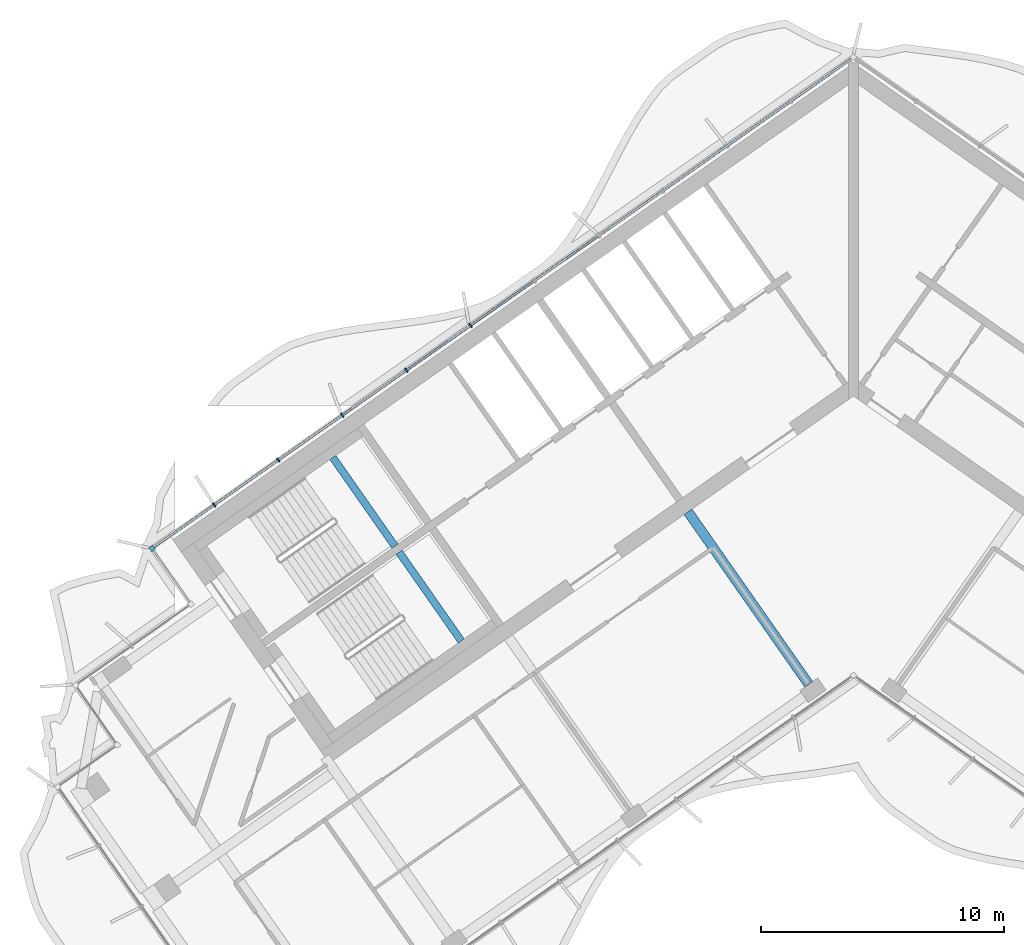
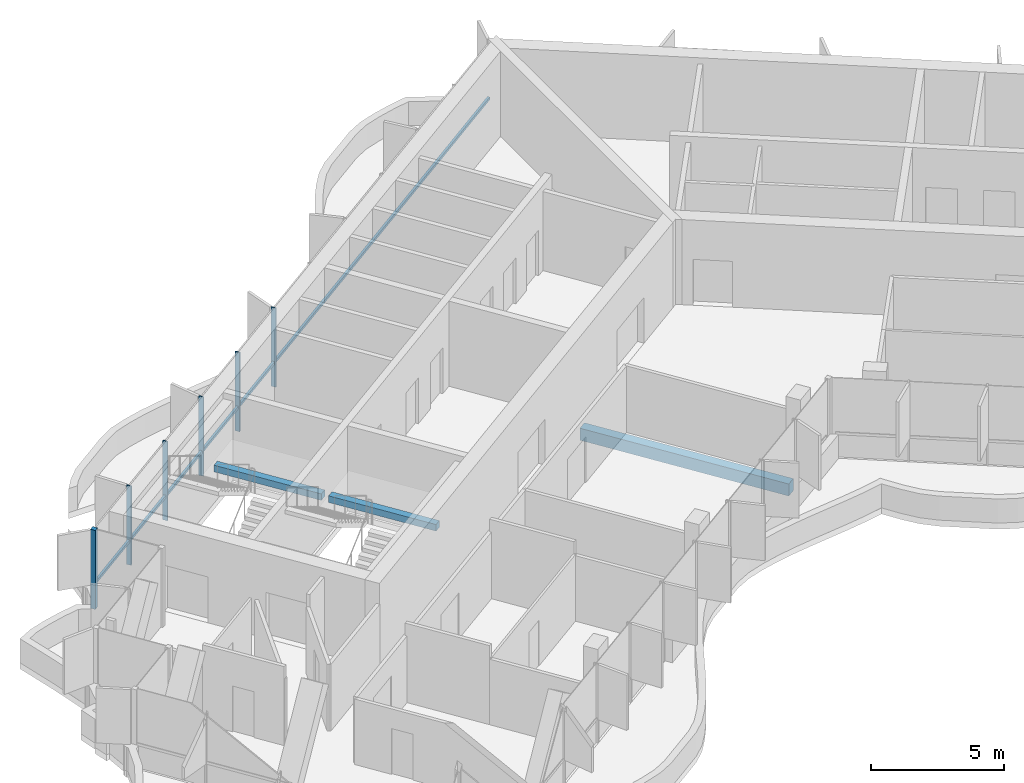
# One storey, part 3 of 17: 7 members, 3 beams, 1 element without a shape of its own.
"""IFC4 building model written with IfcOpenShell, lengths in metres."""

from ifc_helpers import new_model, si_unit, direction, frame, origin, origin_2d, place, context, subcontext, project, spatial, rectangle, extrude, material, material_profile, profile_set, type_object, element, aggregate, save


model = new_model("IFC4")

# Units and contexts
model_context = context("Model", 3, precision=1e-05, world=origin(), true_north=direction((0.0, 1.0)))
body_context = subcontext(model_context, "Body", "Model", "MODEL_VIEW")
ifc_project = project(units=[si_unit("LENGTHUNIT", "METRE"), si_unit("AREAUNIT", "SQUARE_METRE"), si_unit("VOLUMEUNIT", "CUBIC_METRE"), si_unit("PLANEANGLEUNIT", "RADIAN"), si_unit("MASSUNIT", "GRAM", prefix="KILO")], contexts=[model_context])

# Site, building, storey
site_placement = place(None, origin())
site = spatial("IfcSite", under=ifc_project, at=site_placement, CompositionType="ELEMENT")
building_placement = place(site_placement, origin())
building = spatial("IfcBuilding", under=site, at=building_placement, Name="Tel Ilan Convention Tower", CompositionType="ELEMENT")
storey_placement = place(building_placement, frame((0.0, 0.0, 291.699951171875)))
storey = spatial("IfcBuildingStorey", under=building, at=storey_placement, Name="L69", CompositionType="ELEMENT", Elevation=291.699951171875)

# Beam
ifc_material_1 = material(Name="Concrete C40/50", Category="concrete")
ifc_material_profile_1 = material_profile(ifc_material_1, rectangle(XDim=0.39990234375, YDim=0.550048828125, at=origin_2d()), Name="RC 400x550")
ifc_profile_set_1 = profile_set([ifc_material_profile_1], Name="Concrete C40/50")
beam_type_1 = type_object("IfcBeamType", Name="Beam RC 400x550 Concrete C40/50", PredefinedType="BEAM", material=ifc_profile_set_1)
beam_1_placement = place(storey_placement, frame((-1.83740234375, -13.06689453125, -0.554931640625), z_axis=(-0.573574099654, 0.819153680457, 0.0), x_axis=(-0.819153680457, -0.573574099654, 0.0)))
element("IfcBeam", 1, at=beam_1_placement, inside=storey, type_object=beam_type_1, Name="L69 beam W-W-F1-core", PredefinedType="BEAM", context=body_context, shape_type="SweptSolid", body=[
    extrude(rectangle(XDim=0.39990234375, YDim=0.550048828125, at=origin_2d()), origin(), (0.0, 0.0, 1.0), 8.64990234375),
])

# Curtain wall, members
ifc_material_2 = material(Name="Aluminium, bronze anodised", Category="aluminium")
curtain_wall_type = type_object("IfcCurtainWallType", Name="CW2 STICK CURTAIN WALL, SPANDREL PANELS", PredefinedType="NOTDEFINED", material=ifc_material_2)
curtain_wall_placement = place(storey_placement, origin())
curtain_wall = element("IfcCurtainWall", 2, at=curtain_wall_placement, inside=storey, type_object=curtain_wall_type, Name="Curtain wall CW2-52.01", PredefinedType="NOTDEFINED")
ifc_material_3 = material(Name="Aluminium, bronze anodised", Category="aluminium")
ifc_material_profile_2 = material_profile(ifc_material_3, rectangle(XDim=0.199951171875, YDim=0.199951171875, at=origin_2d()), Name="CW CORNER MULLION 200x200")
ifc_profile_set_2 = profile_set([ifc_material_profile_2], Name="Aluminium, bronze anodised")
member_type_1 = type_object("IfcMemberType", Name="CW CORNER MULLION 200x200", PredefinedType="MULLION", material=ifc_profile_set_2)
member_1_placement = place(storey_placement, frame((-28.819580078125, -7.483642578125, 0.0), z_axis=(0.0, 0.0, 1.0), x_axis=(-0.819152044289, -0.573576436351, 0.0)))
member_1 = element("IfcMember", 3, at=member_1_placement, type_object=member_type_1, Name="Corner mullion", PredefinedType="MULLION", context=body_context, shape_type="SweptSolid", body=[
    extrude(rectangle(XDim=0.199951171875, YDim=0.199951171875, at=origin_2d()), origin(), (0.0, 0.0, 1.0), 3.6201171875),
])
ifc_material_4 = material(Name="Aluminium, bronze anodised", Category="aluminium")
ifc_material_profile_3 = material_profile(ifc_material_4, rectangle(XDim=0.06005859375, YDim=0.199951171875, at=origin_2d()), Name="CW MULLION 60x200")
ifc_profile_set_3 = profile_set([ifc_material_profile_3], Name="Aluminium, bronze anodised")
member_type_2 = type_object("IfcMemberType", Name="CW MULLION 60x200", PredefinedType="MULLION", material=ifc_profile_set_3)
member_2_placement = place(storey_placement, frame((-15.73828125, 1.676025390625, 0.0), z_axis=(0.0, 0.0, 1.0), x_axis=(-0.819152044289, -0.573576436351, 0.0)))
member_2 = element("IfcMember", 4, at=member_2_placement, type_object=member_type_2, Name="Mullion", PredefinedType="MULLION", context=body_context, shape_type="SweptSolid", body=[
    extrude(rectangle(XDim=0.06005859375, YDim=0.199951171875, at=origin_2d()), origin(), (0.0, 0.0, 1.0), 3.6201171875),
])
member_3_placement = place(storey_placement, frame((-18.37109375, -0.16748046875, 0.0), z_axis=(0.0, 0.0, 1.0), x_axis=(-0.819152044289, -0.573576436351, 0.0)))
member_3 = element("IfcMember", 5, at=member_3_placement, type_object=member_type_2, Name="Mullion", PredefinedType="MULLION", context=body_context, shape_type="SweptSolid", body=[
    extrude(rectangle(XDim=0.06005859375, YDim=0.199951171875, at=origin_2d()), origin(), (0.0, 0.0, 1.0), 3.6201171875),
])
member_4_placement = place(storey_placement, frame((-21.003662109375, -2.0107421875, 0.0), z_axis=(0.0, 0.0, 1.0), x_axis=(-0.819152044289, -0.573576436351, 0.0)))
member_4 = element("IfcMember", 6, at=member_4_placement, type_object=member_type_2, Name="Mullion", PredefinedType="MULLION", context=body_context, shape_type="SweptSolid", body=[
    extrude(rectangle(XDim=0.06005859375, YDim=0.199951171875, at=origin_2d()), origin(), (0.0, 0.0, 1.0), 3.6201171875),
])
member_5_placement = place(storey_placement, frame((-23.63623046875, -3.854248046875, 0.0), z_axis=(0.0, 0.0, 1.0), x_axis=(-0.819152044289, -0.573576436351, 0.0)))
member_5 = element("IfcMember", 7, at=member_5_placement, type_object=member_type_2, Name="Mullion", PredefinedType="MULLION", context=body_context, shape_type="SweptSolid", body=[
    extrude(rectangle(XDim=0.06005859375, YDim=0.199951171875, at=origin_2d()), origin(), (0.0, 0.0, 1.0), 3.6201171875),
])
member_6_placement = place(storey_placement, frame((-26.268798828125, -5.697509765625, 0.0), z_axis=(0.0, 0.0, 1.0), x_axis=(-0.819152044289, -0.573576436351, 0.0)))
member_6 = element("IfcMember", 8, at=member_6_placement, type_object=member_type_2, Name="Mullion", PredefinedType="MULLION", context=body_context, shape_type="SweptSolid", body=[
    extrude(rectangle(XDim=0.06005859375, YDim=0.199951171875, at=origin_2d()), origin(), (0.0, 0.0, 1.0), 3.6201171875),
])
ifc_material_5 = material(Name="Aluminium, bronze anodised", Category="aluminium")
ifc_material_profile_4 = material_profile(ifc_material_5, rectangle(XDim=0.10009765625, YDim=0.1201171875, at=origin_2d()), Name="CW TRANSOM 100x120")
ifc_profile_set_4 = profile_set([ifc_material_profile_4], Name="Aluminium, bronze anodised")
member_type_3 = type_object("IfcMemberType", Name="CW TRANSOM 100x120", PredefinedType="USERDEFINED", material=ifc_profile_set_4)
member_7_placement = place(storey_placement, frame((-0.1064453125, 12.62158203125, 1.10009765625), z_axis=(-0.819150201937, -0.573579067494, 0.0), x_axis=(0.573579067494, -0.819150201937, 0.0)))
member_7 = element("IfcMember", 9, at=member_7_placement, type_object=member_type_3, Name="Transom", ObjectType="TRANSOM", PredefinedType="USERDEFINED", context=body_context, shape_type="SweptSolid", body=[
    extrude(rectangle(XDim=0.10009765625, YDim=0.1201171875, at=origin_2d()), origin(), (0.0, 0.0, 1.0), 34.9521484375),
])
aggregate(curtain_wall, [member_2, member_3, member_4, member_5, member_6, member_1, member_7])

# Beams
ifc_material_6 = material(Name="Concrete C40/50", Category="concrete")
ifc_material_profile_5 = material_profile(ifc_material_6, rectangle(XDim=0.300048828125, YDim=0.300048828125, at=origin_2d()), Name="RC 300x300")
ifc_profile_set_5 = profile_set([ifc_material_profile_5], Name="Concrete C40/50")
beam_type_2 = type_object("IfcBeamType", Name="Landing Beam RC 300x300 Concrete C40/50", PredefinedType="BEAM", material=ifc_profile_set_5)
beam_2_placement = place(storey_placement, frame((-18.841796875, -7.394287109375, 1.60009765625), z_axis=(-0.573547030514, 0.819172633691, 0.0), x_axis=(-0.819172633691, -0.573547030514, 0.0)))
element("IfcBeam", 10, at=beam_2_placement, inside=storey, type_object=beam_type_2, Name="S1 landing beam L69.1", PredefinedType="BEAM", context=body_context, shape_type="SweptSolid", body=[
    extrude(rectangle(XDim=0.300048828125, YDim=0.300048828125, at=origin_2d()), origin(), (0.0, 0.0, 1.0), 4.449951171875),
])
beam_3_placement = place(storey_placement, frame((-16.1171875, -11.285400390625, 1.60009765625), z_axis=(-0.573583844845, 0.819146856756, 0.0), x_axis=(-0.819146856756, -0.573583844845, 0.0)))
element("IfcBeam", 11, at=beam_3_placement, inside=storey, type_object=beam_type_2, Name="S2 landing beam L69.1", PredefinedType="BEAM", context=body_context, shape_type="SweptSolid", body=[
    extrude(rectangle(XDim=0.300048828125, YDim=0.300048828125, at=origin_2d()), origin(), (0.0, 0.0, 1.0), 4.4501953125),
])

save(model, "model.ifc")
